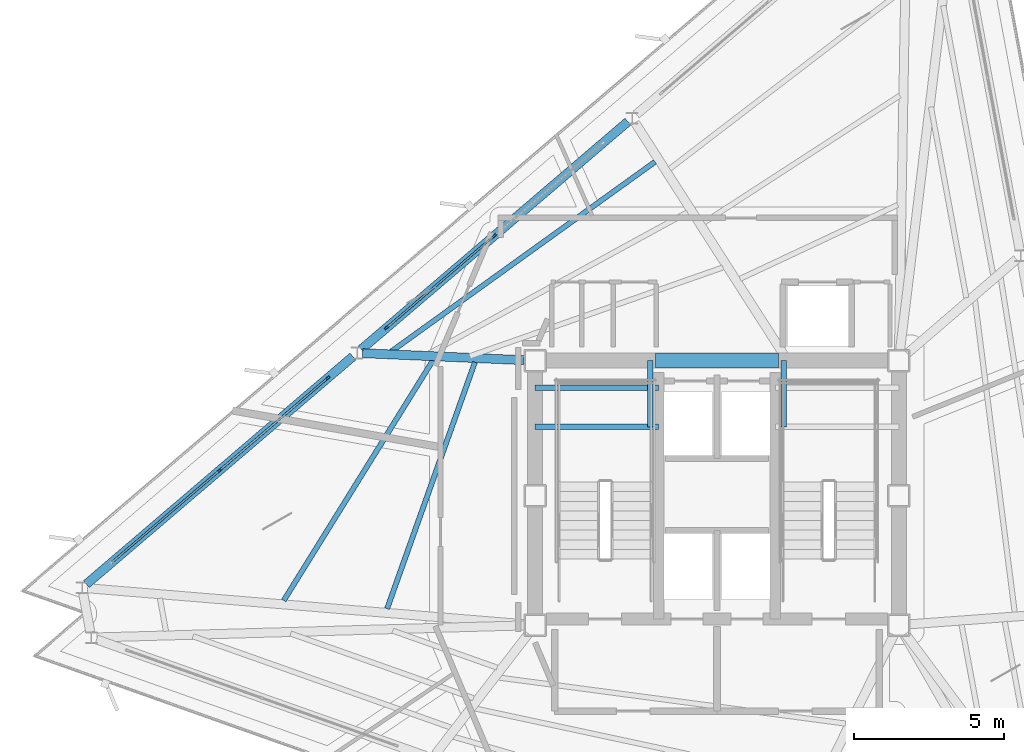
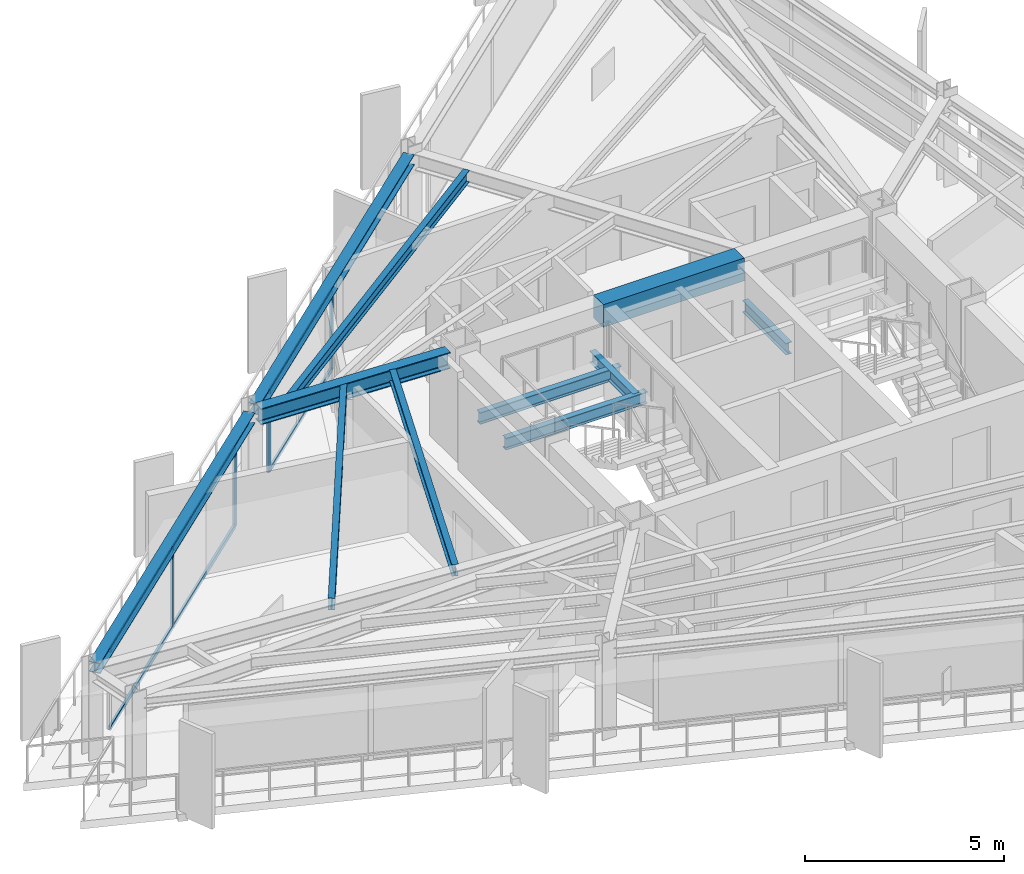
# One storey, part 4 of 14: 11 beams, 10 members, 2 elements without a shape of their own.
"""IFC4 building model written with IfcOpenShell, lengths in metres."""

from ifc_helpers import new_model, si_unit, direction, frame, origin, origin_2d, place, context, subcontext, project, spatial, rectangle, i_section, extrude, material, layer, layer_set, material_profile, profile_set, type_object, element, aggregate, save


model = new_model("IFC4")

# Units and contexts
model_context = context("Model", 3, precision=1e-05, world=origin(), true_north=direction((0.0, 1.0)))
body_context = subcontext(model_context, "Body", "Model", "MODEL_VIEW")
ifc_project = project(units=[si_unit("LENGTHUNIT", "METRE"), si_unit("AREAUNIT", "SQUARE_METRE"), si_unit("VOLUMEUNIT", "CUBIC_METRE"), si_unit("PLANEANGLEUNIT", "RADIAN"), si_unit("MASSUNIT", "GRAM", prefix="KILO")], contexts=[model_context])

# Site, building, storey
site_placement = place(None, origin())
site = spatial("IfcSite", under=ifc_project, at=site_placement, CompositionType="ELEMENT")
building_placement = place(site_placement, origin())
building = spatial("IfcBuilding", under=site, at=building_placement, Name="Rocaltana Carrier Exchange", CompositionType="ELEMENT")
storey_placement = place(building_placement, frame((0.0, 0.0, 184.47998046875)))
storey = spatial("IfcBuildingStorey", under=building, at=storey_placement, Name="L58", CompositionType="ELEMENT", Elevation=184.47998046875)

# Curtain wall, members
ifc_material_1 = material(Name="Aluminium 6063-T6", Category="aluminium")
ifc_layer = layer(ifc_material_1, 0.135009765625)
ifc_layer_set = layer_set([ifc_layer], Name="Aluminium 6063-T6")
curtain_wall_type = type_object("IfcCurtainWallType", Name="Upper-Mid Acoustic Curtain Wall CW-04", PredefinedType="NOTDEFINED", material=ifc_layer_set)
curtain_wall_1_placement = place(storey_placement, origin())
curtain_wall_1 = element("IfcCurtainWall", 1, at=curtain_wall_1_placement, inside=storey, type_object=curtain_wall_type, Name="L58 CW-04 Run CW-L58-F2S2", PredefinedType="NOTDEFINED")
ifc_material_2 = material(Name="Aluminium 6063-T6", Category="aluminium")
ifc_material_profile_1 = material_profile(ifc_material_2, rectangle(XDim=0.06494140625, YDim=0.135009765625, at=origin_2d()), Name="AL-65X135")
ifc_profile_set_1 = profile_set([ifc_material_profile_1], Name="Aluminium 6063-T6")
member_type_1 = type_object("IfcMemberType", Name="CW-04 Mullion AL-65X135", PredefinedType="MULLION", material=ifc_profile_set_1)
member_1_placement = place(storey_placement, frame((-7.39990234375, 8.6640625, 0.0), z_axis=(0.0, 0.0, 1.0), x_axis=(0.649454010067, -0.760400873756, 0.0)))
member_1 = element("IfcMember", 2, at=member_1_placement, type_object=member_type_1, Name="CW-04 mullion 2", PredefinedType="MULLION", context=body_context, shape_type="SweptSolid", body=[
    extrude(rectangle(XDim=0.06494140625, YDim=0.135009765625, at=origin_2d()), origin(), (0.0, 0.0, 1.0), 2.447998046875),
])
member_2_placement = place(storey_placement, frame((-10.999755859375, 5.58935546875, 0.0), z_axis=(0.0, 0.0, 1.0), x_axis=(0.649454010067, -0.760400873756, 0.0)))
member_2 = element("IfcMember", 3, at=member_2_placement, type_object=member_type_1, Name="CW-04 mullion 3", PredefinedType="MULLION", context=body_context, shape_type="SweptSolid", body=[
    extrude(rectangle(XDim=0.06494140625, YDim=0.135009765625, at=origin_2d()), origin(), (0.0, 0.0, 1.0), 2.447998046875),
])

curtain_wall_2_placement = place(storey_placement, origin())
curtain_wall_2 = element("IfcCurtainWall", 4, at=curtain_wall_2_placement, inside=storey, type_object=curtain_wall_type, Name="L58 CW-04 Run CW-L58-F2S3", PredefinedType="NOTDEFINED")
member_3_placement = place(storey_placement, frame((-12.9501953125, 3.923583984375, 0.0), z_axis=(0.0, 0.0, 1.0), x_axis=(0.649447944918, -0.760406053922, 0.0)))
member_3 = element("IfcMember", 5, at=member_3_placement, type_object=member_type_1, Name="CW-04 mullion 1", PredefinedType="MULLION", context=body_context, shape_type="SweptSolid", body=[
    extrude(rectangle(XDim=0.06494140625, YDim=0.135009765625, at=origin_2d()), origin(), (0.0, 0.0, 1.0), 2.447998046875),
])
member_4_placement = place(storey_placement, frame((-16.550048828125, 0.84912109375, 0.0), z_axis=(0.0, 0.0, 1.0), x_axis=(0.649447944918, -0.760406053922, 0.0)))
member_4 = element("IfcMember", 6, at=member_4_placement, type_object=member_type_1, Name="CW-04 mullion 2", PredefinedType="MULLION", context=body_context, shape_type="SweptSolid", body=[
    extrude(rectangle(XDim=0.06494140625, YDim=0.135009765625, at=origin_2d()), origin(), (0.0, 0.0, 1.0), 2.447998046875),
])

# Member
ifc_material_3 = material(Name="Aluminium 6063-T6", Category="aluminium")
ifc_material_profile_2 = material_profile(ifc_material_3, rectangle(XDim=0.06494140625, YDim=0.135009765625, at=origin_2d()), Name="AL-65X135")
ifc_profile_set_2 = profile_set([ifc_material_profile_2], Name="Aluminium 6063-T6")
member_type_2 = type_object("IfcMemberType", Name="CW-04 Transom AL-65X135", PredefinedType="USERDEFINED", material=ifc_profile_set_2)
member_5_placement = place(storey_placement, frame((-7.424560546875, 8.642822265625, 0.032470703125), z_axis=(-0.760407032825, -0.649446798768, 0.0), x_axis=(0.649446798768, -0.760407032825, 0.0)))
member_5 = element("IfcMember", 7, at=member_5_placement, type_object=member_type_2, Name="CW-04 transom 2.1", ObjectType="TRANSOM", PredefinedType="USERDEFINED", context=body_context, shape_type="SweptSolid", body=[
    extrude(rectangle(XDim=0.06494140625, YDim=0.135009765625, at=origin_2d()), origin(), (0.0, 0.0, 1.0), 4.6689453125),
])

member_6_placement = place(storey_placement, frame((-7.424560546875, 8.642822265625, 2.41552734375), z_axis=(-0.760407032825, -0.649446798768, 0.0), x_axis=(0.649446798768, -0.760407032825, 0.0)))
member_6 = element("IfcMember", 8, at=member_6_placement, type_object=member_type_2, Name="CW-04 transom 2.2", ObjectType="TRANSOM", PredefinedType="USERDEFINED", context=body_context, shape_type="SweptSolid", body=[
    extrude(rectangle(XDim=0.06494140625, YDim=0.135009765625, at=origin_2d()), origin(), (0.0, 0.0, 1.0), 4.6689453125),
])

aggregate(curtain_wall_1, [member_1, member_2, member_5, member_6])

member_7_placement = place(storey_placement, frame((-12.974853515625, 3.902587890625, 0.032470703125), z_axis=(-0.760403264899, -0.649451210432, 0.0), x_axis=(0.649451210432, -0.760403264899, 0.0)))
member_7 = element("IfcMember", 9, at=member_7_placement, type_object=member_type_2, Name="CW-04 transom 1.1", ObjectType="TRANSOM", PredefinedType="USERDEFINED", context=body_context, shape_type="SweptSolid", body=[
    extrude(rectangle(XDim=0.06494140625, YDim=0.135009765625, at=origin_2d()), origin(), (0.0, 0.0, 1.0), 4.669189453125),
])

member_8_placement = place(storey_placement, frame((-12.974853515625, 3.902587890625, 2.41552734375), z_axis=(-0.760403264899, -0.649451210432, 0.0), x_axis=(0.649451210432, -0.760403264899, 0.0)))
member_8 = element("IfcMember", 10, at=member_8_placement, type_object=member_type_2, Name="CW-04 transom 1.2", ObjectType="TRANSOM", PredefinedType="USERDEFINED", context=body_context, shape_type="SweptSolid", body=[
    extrude(rectangle(XDim=0.06494140625, YDim=0.135009765625, at=origin_2d()), origin(), (0.0, 0.0, 1.0), 4.669189453125),
])

member_9_placement = place(storey_placement, frame((-16.57470703125, 0.827880859375, 0.032470703125), z_axis=(-0.760403264899, -0.649451210432, 0.0), x_axis=(0.649451210432, -0.760403264899, 0.0)))
member_9 = element("IfcMember", 11, at=member_9_placement, type_object=member_type_2, Name="CW-04 transom 2.1", ObjectType="TRANSOM", PredefinedType="USERDEFINED", context=body_context, shape_type="SweptSolid", body=[
    extrude(rectangle(XDim=0.06494140625, YDim=0.135009765625, at=origin_2d()), origin(), (0.0, 0.0, 1.0), 4.669189453125),
])

member_10_placement = place(storey_placement, frame((-16.57470703125, 0.827880859375, 2.41552734375), z_axis=(-0.760403264899, -0.649451210432, 0.0), x_axis=(0.649451210432, -0.760403264899, 0.0)))
member_10 = element("IfcMember", 12, at=member_10_placement, type_object=member_type_2, Name="CW-04 transom 2.2", ObjectType="TRANSOM", PredefinedType="USERDEFINED", context=body_context, shape_type="SweptSolid", body=[
    extrude(rectangle(XDim=0.06494140625, YDim=0.135009765625, at=origin_2d()), origin(), (0.0, 0.0, 1.0), 4.669189453125),
])

aggregate(curtain_wall_2, [member_3, member_4, member_7, member_8, member_9, member_10])

# Beams
ifc_material_4 = material(Name="Concrete C60/75", Category="concrete")
ifc_material_profile_3 = material_profile(ifc_material_4, rectangle(XDim=0.5, YDim=0.699951171875, at=origin_2d()), Name="RC-BM-500X700")
ifc_profile_set_3 = profile_set([ifc_material_profile_3], Name="Concrete C60/75")
beam_type_1 = type_object("IfcBeamType", Name="Core Coupling Lintel 500x700", PredefinedType="LINTEL", material=ifc_profile_set_3)
beam_1_placement = place(storey_placement, frame((-2.050048828125, 4.5, 2.447998046875), z_axis=(1.0, 0.0, 0.0), x_axis=(0.0, 1.0, 0.0)))
element("IfcBeam", 13, at=beam_1_placement, inside=storey, type_object=beam_type_1, Name="L58 Core Coupling Lintel CL-N", PredefinedType="LINTEL", context=body_context, shape_type="SweptSolid", body=[
    extrude(rectangle(XDim=0.5, YDim=0.699951171875, at=origin_2d()), origin(), (0.0, 0.0, 1.0), 4.10009765625),
])
ifc_material_5 = material(Name="Steel S355", Category="steel")
ifc_material_profile_4 = material_profile(ifc_material_5, i_section(OverallWidth=0.172119140625, OverallDepth=0.35791015625, WebThickness=0.0078125, FlangeThickness=0.01318359375, FilletRadius=0.011962890625, at=origin_2d()), Name="W14X38")
ifc_profile_set_4 = profile_set([ifc_material_profile_4], Name="Steel S355")
beam_type_2 = type_object("IfcBeamType", Name="Floor Joist W14X38", PredefinedType="JOIST", material=ifc_profile_set_4)
for number, where, z_axis, x_axis, name in (
    (14, (-6.050048828125, 2.300048828125, 1.14111328125), (1.0, 0.0, 0.0), (0.0, 1.0, 0.0), "L58 ST-1 Landing Carrier 1"),
    (15, (-6.050048828125, 3.60009765625, 1.14111328125), (1.0, 0.0, 0.0), (0.0, 1.0, 0.0), "L58 ST-1 Landing Carrier 2"),
):
    element("IfcBeam", number, at=place(storey_placement, frame(where, z_axis=z_axis, x_axis=x_axis)), inside=storey, type_object=beam_type_2, Name=name, PredefinedType="JOIST", context=body_context, shape_type="SweptSolid", body=[
        extrude(i_section(OverallWidth=0.172119140625, OverallDepth=0.35791015625, WebThickness=0.0078125, FlangeThickness=0.01318359375, FilletRadius=0.011962890625, at=origin_2d()), origin(), (0.0, 0.0, 1.0), 4.110107421875),
    ])
for number, where, z_axis, x_axis, name in (
    (16, (-2.219970703125, 2.300048828125, 1.14111328125), (0.0, 1.0, 0.0), (-1.0, 0.0, 0.0), "L58 ST-1 Landing Cross Trimmer"),
    (17, (2.219970703125, 2.300048828125, 1.14111328125), (0.0, 1.0, 0.0), (-1.0, 0.0, 0.0), "L58 ST-2 Landing Cross Trimmer"),
):
    element("IfcBeam", number, at=place(storey_placement, frame(where, z_axis=z_axis, x_axis=x_axis)), inside=storey, type_object=beam_type_2, Name=name, PredefinedType="JOIST", context=body_context, shape_type="SweptSolid", body=[
        extrude(i_section(OverallWidth=0.172119140625, OverallDepth=0.35791015625, WebThickness=0.0078125, FlangeThickness=0.01318359375, FilletRadius=0.011962890625, at=origin_2d()), origin(), (0.0, 0.0, 1.0), 2.199951171875),
    ])
beam_2_placement = place(storey_placement, frame((-2.06201171875, 11.115478515625, 2.619140625), z_axis=(-0.811946552353, -0.583731784402, 0.0), x_axis=(0.583731784402, -0.811946552353, 0.0)))
element("IfcBeam", 18, at=beam_2_placement, inside=storey, type_object=beam_type_2, Name="FJ-L58-06-3", PredefinedType="JOIST", context=body_context, shape_type="SweptSolid", body=[
    extrude(i_section(OverallWidth=0.172119140625, OverallDepth=0.35791015625, WebThickness=0.0078125, FlangeThickness=0.01318359375, FilletRadius=0.011962890625, at=origin_2d()), origin(), (0.0, 0.0, 1.0), 10.823974609375),
])
beam_3_placement = place(storey_placement, frame((-8.053466796875, 4.448974609375, 2.619140625), z_axis=(-0.335647261926, -0.941987747034, 0.0), x_axis=(0.941987747034, -0.335647261926, 0.0)))
element("IfcBeam", 19, at=beam_3_placement, inside=storey, type_object=beam_type_2, Name="FJ-L58-07-1", PredefinedType="JOIST", context=body_context, shape_type="SweptSolid", body=[
    extrude(i_section(OverallWidth=0.172119140625, OverallDepth=0.35791015625, WebThickness=0.0078125, FlangeThickness=0.01318359375, FilletRadius=0.011962890625, at=origin_2d()), origin(), (0.0, 0.0, 1.0), 8.708740234375),
])
beam_4_placement = place(storey_placement, frame((-9.44384765625, 4.521240234375, 2.619140625), z_axis=(-0.527698214699, -0.849431924408, 0.0), x_axis=(0.849431924408, -0.527698214699, 0.0)))
element("IfcBeam", 20, at=beam_4_placement, inside=storey, type_object=beam_type_2, Name="FJ-L58-07-2", PredefinedType="JOIST", context=body_context, shape_type="SweptSolid", body=[
    extrude(i_section(OverallWidth=0.172119140625, OverallDepth=0.35791015625, WebThickness=0.0078125, FlangeThickness=0.01318359375, FilletRadius=0.011962890625, at=origin_2d()), origin(), (0.0, 0.0, 1.0), 9.42236328125),
])
ifc_material_6 = material(Name="Steel S355", Category="steel")
ifc_material_profile_5 = material_profile(ifc_material_6, i_section(OverallWidth=0.300048828125, OverallDepth=0.320068359375, WebThickness=0.011474609375, FlangeThickness=0.0205078125, FilletRadius=0.027099609375, at=origin_2d()), Name="HEB320")
ifc_profile_set_5 = profile_set([ifc_material_profile_5], Name="Steel S355")
beam_type_3 = type_object("IfcBeamType", Name="Spandrel Edge Beam HEB320", PredefinedType="SPANDREL", material=ifc_profile_set_5)
beam_5_placement = place(storey_placement, frame((-2.9658203125, 12.451171875, 2.637939453125), z_axis=(-0.76039327773, -0.649462903623, 0.0), x_axis=(0.649462903623, -0.76039327773, 0.0)))
element("IfcBeam", 21, at=beam_5_placement, inside=storey, type_object=beam_type_3, Name="SP-L58-06", PredefinedType="SPANDREL", context=body_context, shape_type="SweptSolid", body=[
    extrude(i_section(OverallWidth=0.300048828125, OverallDepth=0.320068359375, WebThickness=0.011474609375, FlangeThickness=0.0205078125, FilletRadius=0.027099609375, at=origin_2d()), origin(), (0.0, 0.0, 1.0), 11.662353515625),
])
beam_6_placement = place(storey_placement, frame((-12.115966796875, 4.635986328125, 2.637939453125), z_axis=(-0.760403616076, -0.64945079926, 0.0), x_axis=(0.64945079926, -0.760403616076, 0.0)))
element("IfcBeam", 22, at=beam_6_placement, inside=storey, type_object=beam_type_3, Name="SP-L58-07", PredefinedType="SPANDREL", context=body_context, shape_type="SweptSolid", body=[
    extrude(i_section(OverallWidth=0.300048828125, OverallDepth=0.320068359375, WebThickness=0.011474609375, FlangeThickness=0.0205078125, FilletRadius=0.027099609375, at=origin_2d()), origin(), (0.0, 0.0, 1.0), 11.662109375),
])
ifc_material_7 = material(Name="Steel S355", Category="steel")
ifc_material_profile_6 = material_profile(ifc_material_7, i_section(OverallWidth=0.300048828125, OverallDepth=0.5, WebThickness=0.014404296875, FlangeThickness=0.028076171875, FilletRadius=0.027099609375, at=origin_2d()), Name="HEB500")
ifc_profile_set_6 = profile_set([ifc_material_profile_6], Name="Steel S355")
beam_type_4 = type_object("IfcBeamType", Name="Upper Radial Girder HEB500", PredefinedType="BEAM", material=ifc_profile_set_6)
beam_7_placement = place(storey_placement, frame((-6.416748046875, 4.515869140625, 2.548095703125), z_axis=(-0.999063681018, 0.04326385641, 0.0), x_axis=(-0.04326385641, -0.999063681018, 0.0)))
element("IfcBeam", 23, at=beam_7_placement, inside=storey, type_object=beam_type_4, Name="RG-L58-07", PredefinedType="BEAM", context=body_context, shape_type="SweptSolid", body=[
    extrude(i_section(OverallWidth=0.300048828125, OverallDepth=0.5, WebThickness=0.014404296875, FlangeThickness=0.028076171875, FilletRadius=0.027099609375, at=origin_2d()), origin(), (0.0, 0.0, 1.0), 5.3779296875),
])

save(model, "model.ifc")
